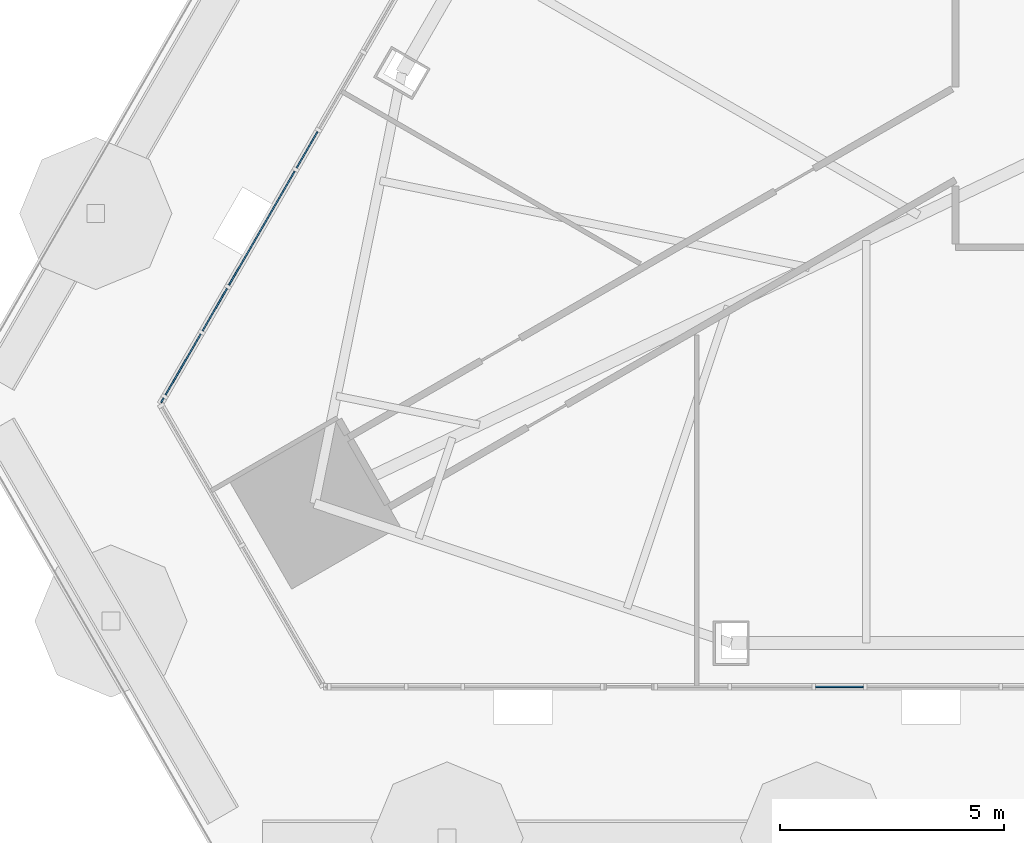
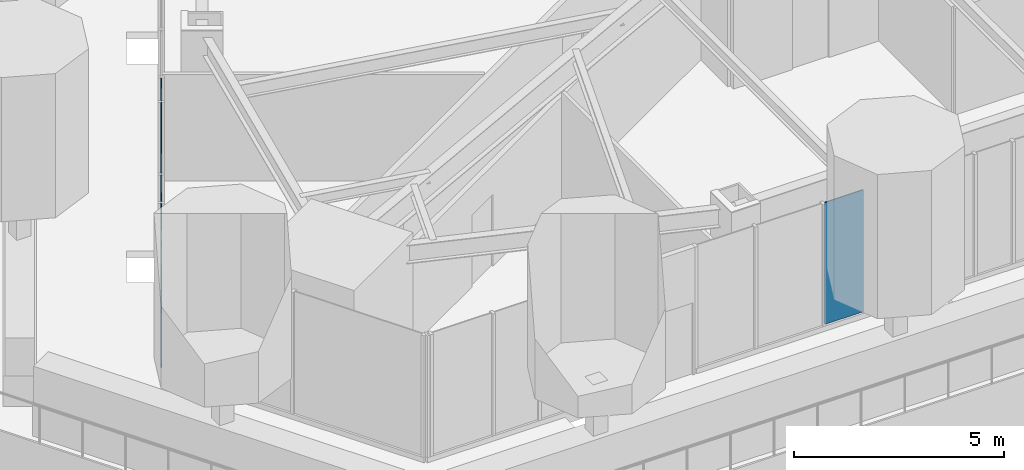
# One storey, part 16 of 32: 6 plates, 2 elements without a shape of their own.
"""IFC4 building model written with IfcOpenShell, lengths in metres."""

from ifc_helpers import new_model, si_unit, direction, frame, origin, place, context, subcontext, project, spatial, polyline, outline, extrude, material, layer, layer_set, type_object, element, aggregate, save


model = new_model("IFC4")

# Units and contexts
model_context = context("Model", 3, precision=1e-05, world=origin(), true_north=direction((0.0, 1.0)))
body_context = subcontext(model_context, "Body", "Model", "MODEL_VIEW")
ifc_project = project(units=[si_unit("LENGTHUNIT", "METRE"), si_unit("AREAUNIT", "SQUARE_METRE"), si_unit("VOLUMEUNIT", "CUBIC_METRE"), si_unit("PLANEANGLEUNIT", "RADIAN"), si_unit("MASSUNIT", "GRAM", prefix="KILO")], contexts=[model_context])

# Site, building, storey
site_placement = place(None, origin())
site = spatial("IfcSite", under=ifc_project, at=site_placement, CompositionType="ELEMENT")
building_placement = place(site_placement, origin())
building = spatial("IfcBuilding", under=site, at=building_placement, Name="Firuza Gate Tower and Library", CompositionType="ELEMENT")
storey_placement = place(building_placement, frame((0.0, 0.0, 163.60009765625)))
storey = spatial("IfcBuildingStorey", under=building, at=storey_placement, Name="L37", CompositionType="ELEMENT", Elevation=163.60009765625)

# Curtain wall, plate
ifc_material_1 = material(Name="Aluminium 6063-T6", Category="aluminium")
ifc_layer_1 = layer(ifc_material_1, 0.14990234375)
ifc_layer_set_1 = layer_set([ifc_layer_1], Name="Unitised curtain wall, hotel")
curtain_wall_type = type_object("IfcCurtainWallType", Name="Unitised curtain wall, hotel", PredefinedType="NOTDEFINED", material=ifc_layer_set_1)
placement = place(storey_placement, origin())
curtain_wall_1 = element("IfcCurtainWall", 1, at=placement, inside=storey, type_object=curtain_wall_type, Name="CW2 L37 W face", PredefinedType="NOTDEFINED")
ifc_material_2 = material(Name="Fritted glass", Category="glass")
ifc_layer_2 = layer(ifc_material_2, 0.030029296875)
ifc_layer_set_2 = layer_set([ifc_layer_2], Name="Fritted glass unit, hotel")
plate_type_1 = type_object("IfcPlateType", Name="Fritted glass unit, hotel", PredefinedType="CURTAIN_PANEL", material=ifc_layer_set_2)
plate_1_placement = place(storey_placement, frame((45.041748046875, 62.96875, 0.14990234375), z_axis=(-0.866077077445, 0.499910487912, 0.0), x_axis=(-0.499910487912, -0.866077077445, 0.0)))
plate_1 = element("IfcPlate", 2, at=plate_1_placement, type_object=plate_type_1, Name="Glass unit", PredefinedType="CURTAIN_PANEL", context=body_context, shape_type="SweptSolid", body=[
    extrude(outline(polyline([(0.0, 0.0), (1.5735238863159609, 0.0), (1.5735238863159609, 3.550048828125), (0.0, 3.550048828125), (0.0, 0.0)])), origin(), (0.0, 0.0, -1.0), 0.030029296875),
])

curtain_wall_2 = element("IfcCurtainWall", 3, at=placement, inside=storey, type_object=curtain_wall_type, Name="CW2 L37 S face", PredefinedType="NOTDEFINED")
ifc_material_3 = material(Name="Glazed ceramic tile")
ifc_layer_3 = layer(ifc_material_3, 0.030029296875)
ifc_layer_set_3 = layer_set([ifc_layer_3], Name="Opaque ceramic panel, hotel")
plate_type_2 = type_object("IfcPlateType", Name="Opaque ceramic panel, hotel", PredefinedType="CURTAIN_PANEL", material=ifc_layer_set_3)
plate_2_placement = place(storey_placement, frame((58.781494140625, 55.071044921875, 0.14990234375), z_axis=(0.0, -1.0, 0.0), x_axis=(1.0, 0.0, 0.0)))
plate_2 = element("IfcPlate", 4, at=plate_2_placement, type_object=plate_type_2, Name="Opaque ceramic panel", PredefinedType="CURTAIN_PANEL", context=body_context, shape_type="SweptSolid", body=[
    extrude(outline(polyline([(0.0, 0.0), (1.064453125, 0.0), (1.064453125, 3.550048828125), (0.0, 3.550048828125), (0.0, 0.0)])), origin(), (0.0, 0.0, -1.0), 0.030029296875),
])
aggregate(curtain_wall_2, [plate_2])

# Plate
plate_3_placement = place(storey_placement, frame((47.650390625, 67.48681640625, 0.14990234375), z_axis=(-0.866072919292, 0.499917691695, 0.0), x_axis=(-0.499917691695, -0.866072919292, 0.0)))
plate_3 = element("IfcPlate", 5, at=plate_3_placement, type_object=plate_type_2, Name="Opaque ceramic panel", PredefinedType="CURTAIN_PANEL", context=body_context, shape_type="SweptSolid", body=[
    extrude(outline(polyline([(0.0, 0.0), (0.9381427151241875, 0.0), (0.9381427151241875, 3.550048828125), (0.0, 3.550048828125), (0.0, 0.0)])), origin(), (0.0, 0.0, -1.0), 0.030029296875),
])

plate_4_placement = place(storey_placement, frame((47.141357421875, 66.60498046875, 0.14990234375), z_axis=(-0.866023947468, 0.500002522405, 0.0), x_axis=(-0.500002522405, -0.866023947468, 0.0)))
plate_4 = element("IfcPlate", 6, at=plate_4_placement, type_object=plate_type_2, Name="Opaque ceramic panel", PredefinedType="CURTAIN_PANEL", context=body_context, shape_type="SweptSolid", body=[
    extrude(outline(polyline([(0.0, 0.0), (2.942856247596896, 0.0), (2.942856247596896, 3.550048828125), (0.0, 3.550048828125), (0.0, 0.0)])), origin(), (0.0, 0.0, -1.0), 0.030029296875),
])

plate_5_placement = place(storey_placement, frame((45.6298828125, 63.9873046875, 0.14990234375), z_axis=(-0.866055796367, 0.499947354807, 0.0), x_axis=(-0.499947354807, -0.866055796367, 0.0)))
plate_5 = element("IfcPlate", 7, at=plate_5_placement, type_object=plate_type_2, Name="Opaque ceramic panel", PredefinedType="CURTAIN_PANEL", context=body_context, shape_type="SweptSolid", body=[
    extrude(outline(polyline([(0.0, 0.0), (1.0963068368199063, 0.0), (1.0963068368199063, 3.550048828125), (0.0, 3.550048828125), (0.0, 0.0)])), origin(), (0.0, 0.0, -1.0), 0.030029296875),
])

plate_6_placement = place(storey_placement, frame((44.215087890625, 61.53662109375, 0.14990234375), z_axis=(-0.865574031608, 0.500780985868, 0.0), x_axis=(-0.500780985868, -0.865574031608, 0.0)))
plate_6 = element("IfcPlate", 8, at=plate_6_placement, type_object=plate_type_2, Name="Opaque ceramic panel", PredefinedType="CURTAIN_PANEL", context=body_context, shape_type="SweptSolid", body=[
    extrude(outline(polyline([(0.0, 0.0), (0.11310458383689945, 0.0), (0.11310458383689945, 3.550048828125), (0.0, 3.550048828125), (0.0, 0.0)])), origin(), (0.0, 0.0, -1.0), 0.030029296875),
])

aggregate(curtain_wall_1, [plate_3, plate_4, plate_5, plate_1, plate_6])

save(model, "model.ifc")
